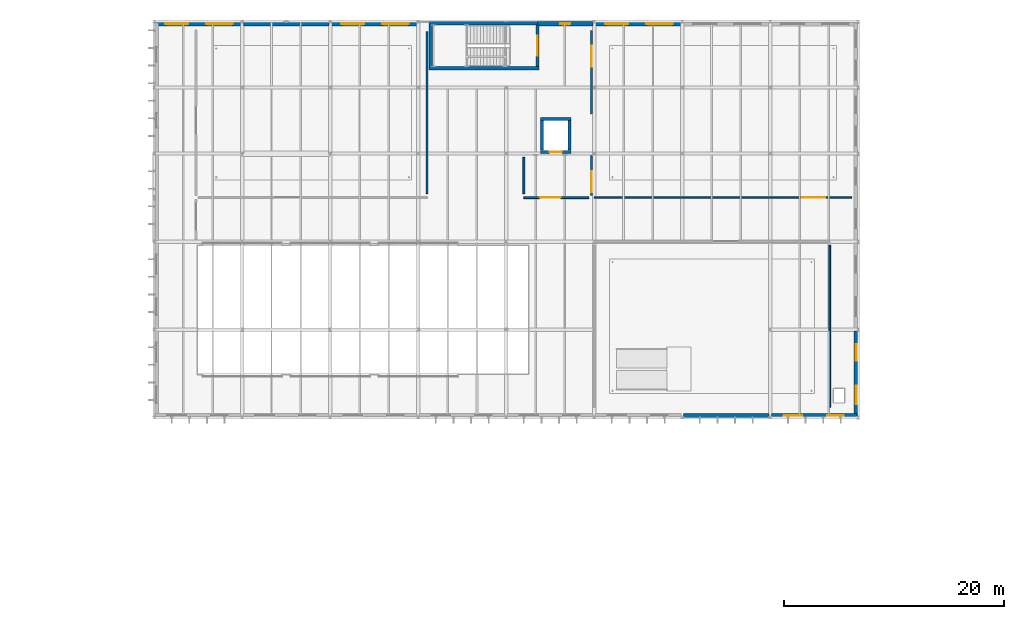
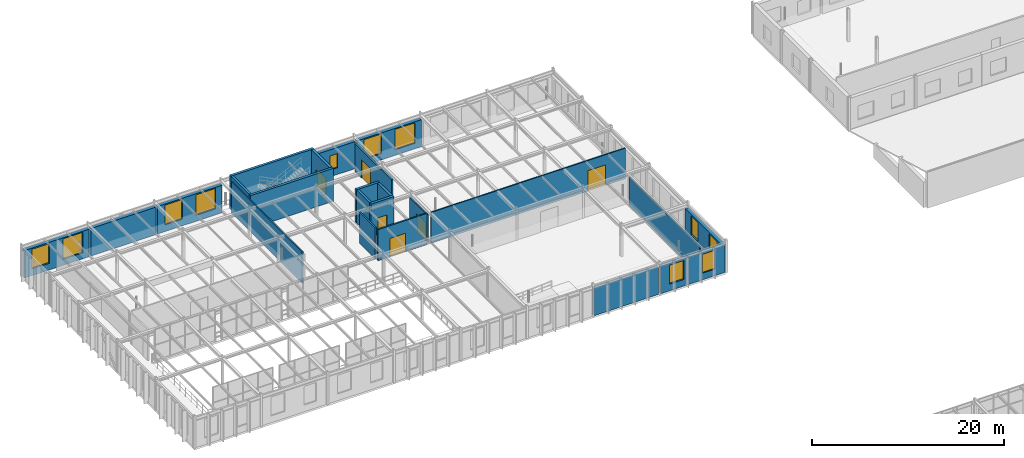
# One storey, part 83 of 124: 23 walls, 11 windows, 6 doors, 17 openings.
"""IFC4 building model written with IfcOpenShell, lengths in metres."""

from ifc_helpers import new_model, si_unit, direction, frame, frame_2d, origin, place, context, subcontext, project, spatial, rectangle, extrude, material, layer, layer_set, type_object, element, fill, save


model = new_model("IFC4")

# Units and contexts
model_context = context("Model", 3, precision=1e-05, world=origin(), true_north=direction((0.0, 1.0)))
body_context = subcontext(model_context, "Body", "Model", "MODEL_VIEW")
ifc_project = project(units=[si_unit("LENGTHUNIT", "METRE"), si_unit("AREAUNIT", "SQUARE_METRE"), si_unit("VOLUMEUNIT", "CUBIC_METRE"), si_unit("PLANEANGLEUNIT", "RADIAN"), si_unit("MASSUNIT", "GRAM", prefix="KILO")], contexts=[model_context])

# Site, building, storey
site_placement = place(None, origin())
site = spatial("IfcSite", under=ifc_project, at=site_placement, CompositionType="ELEMENT")
building_placement = place(site_placement, origin())
building = spatial("IfcBuilding", under=site, at=building_placement, Name="Sundkrona Museum", CompositionType="ELEMENT")
storey_placement = place(building_placement, frame((0.0, 0.0, 17.60009765625)))
storey = spatial("IfcBuildingStorey", under=building, at=storey_placement, Name="L03", CompositionType="ELEMENT", Elevation=17.60009765625)

# Walls
ifc_material_1 = material(Name="Concrete C40/50", Category="concrete")
ifc_layer_1 = layer(ifc_material_1, 0.300048828125)
ifc_layer_set_1 = layer_set([ifc_layer_1], Name="Concrete C40/50")
wall_type_1 = type_object("IfcWallType", Name="W-CORE-300", PredefinedType="SHEAR", material=ifc_layer_set_1)
for number, where, z_axis, x_axis, name in (
    (1, (41.0, 109.75, 0.0), (0.0, 0.0, 1.0), (1.0, 0.0, 0.0), "L03 ST-3 Core Shear Wall South"),
    (2, (41.0, 113.85009765625, 0.0), (0.0, 0.0, 1.0), (1.0, 0.0, 0.0), "L03 ST-3 Core Shear Wall North"),
):
    element("IfcWall", number, at=place(storey_placement, frame(where, z_axis=z_axis, x_axis=x_axis)), inside=storey, type_object=wall_type_1, Name=name, PredefinedType="SHEAR", context=body_context, shape_type="SweptSolid", body=[
        extrude(rectangle(XDim=10.0, YDim=0.300048828125, at=frame_2d((5.0, 0.0))), origin(), (0.0, 0.0, 1.0), 4.199951171875),
    ])
wall_1_placement = place(storey_placement, frame((41.14990234375, 109.909912109375, 0.0), z_axis=(0.0, 0.0, 1.0), x_axis=(0.0, 1.0, 0.0)))
element("IfcWall", 3, at=wall_1_placement, inside=storey, type_object=wall_type_1, Name="L03 ST-3 Core Shear Wall West", PredefinedType="SHEAR", context=body_context, shape_type="SweptSolid", body=[
    extrude(rectangle(XDim=3.780029296875, YDim=0.300048828125, at=frame_2d((1.89013671875, 0.0))), origin(), (0.0, 0.0, 1.0), 4.199951171875),
])

# Wall, opening, door
wall_2_placement = place(storey_placement, frame((50.85009765625, 109.909912109375, 0.0), z_axis=(0.0, 0.0, 1.0), x_axis=(0.0, 1.0, 0.0)))
wall_2 = element("IfcWall", 4, at=wall_2_placement, inside=storey, type_object=wall_type_1, Name="L03 ST-3 Core Shear Wall East", PredefinedType="SHEAR", context=body_context, shape_type="SweptSolid", body=[
    extrude(rectangle(XDim=3.780029296875, YDim=0.300048828125, at=frame_2d((1.89013671875, 0.0))), origin(), (0.0, 0.0, 1.0), 4.199951171875),
])
opening_1_placement = place(wall_2_placement, frame((0.989990234375, 0.0, 0.0)))
opening_1 = element("IfcOpeningElement", 5, at=opening_1_placement, cuts=wall_2, Name="Opening D-FD60", PredefinedType="OPENING", context=body_context, shape_type="SweptSolid", body=[
    extrude(rectangle(XDim=1.800048828125, YDim=2.199951171875, at=frame_2d((0.89990234375, 1.10009765625))), frame((0.0, 0.159912109375, 0.0), z_axis=(0.0, -1.0, 0.0), x_axis=(1.0, 0.0, 0.0)), (0.0, 0.0, 1.0), 0.320068359375),
])
ifc_material_2 = material(Name="Steel S355J2 Fire Door Leaf", Category="steel")
door_type_1 = type_object("IfcDoorType", Name="D-FD60", OperationType="DOUBLE_DOOR_SINGLE_SWING", PredefinedType="DOOR", material=ifc_material_2)
door_1_placement = place(opening_1_placement, origin())
door_1 = element("IfcDoor", 6, at=door_1_placement, inside=storey, type_object=door_type_1, Name="L03 ST-3 Protected Escape Stair Door DR-ST-3-L03", OperationType="DOUBLE_DOOR_SINGLE_SWING", OverallHeight=2.199951171875, OverallWidth=1.800048828125, PredefinedType="DOOR", context=body_context, shape_type="SweptSolid", body=[
    extrude(rectangle(XDim=1.800048828125, YDim=2.199951171875, at=frame_2d((0.89990234375, 1.10009765625))), frame((0.0, 0.02490234375, 0.0), z_axis=(0.0, -1.0, 0.0), x_axis=(1.0, 0.0, 0.0)), (0.0, 0.0, 1.0), 0.050048828125),
])
fill(opening_1, door_1)

wall_3_placement = place(storey_placement, frame((51.10009765625, 102.14990234375, 0.0), z_axis=(0.0, 0.0, 1.0), x_axis=(1.0, 0.0, 0.0)))
wall_3 = element("IfcWall", 7, at=wall_3_placement, inside=storey, type_object=wall_type_1, Name="L03 PL-3 Lift Shaft Wall South", PredefinedType="SHEAR", context=body_context, shape_type="SweptSolid", body=[
    extrude(rectangle(XDim=2.7998046875, YDim=0.300048828125, at=frame_2d((1.39990234375, 0.0))), origin(), (0.0, 0.0, 1.0), 4.199951171875),
])
opening_2_placement = place(wall_3_placement, frame((0.85009765625, 0.0, 0.0)))
opening_2 = element("IfcOpeningElement", 8, at=opening_2_placement, cuts=wall_3, Name="Opening LD-01", PredefinedType="OPENING", context=body_context, shape_type="SweptSolid", body=[
    extrude(rectangle(XDim=1.10009765625, YDim=2.14990234375, at=frame_2d((0.550048828125, 1.074951171875))), frame((0.0, 0.159912109375, 0.0), z_axis=(0.0, -1.0, 0.0), x_axis=(1.0, 0.0, 0.0)), (0.0, 0.0, 1.0), 0.320068359375),
])
ifc_material_3 = material(Name="Brushed Stainless Steel Lift Door", Category="steel")
door_type_2 = type_object("IfcDoorType", Name="LD-01", OperationType="SLIDING_TO_LEFT", PredefinedType="DOOR", material=ifc_material_3)
door_2_placement = place(opening_2_placement, origin())
door_2 = element("IfcDoor", 9, at=door_2_placement, inside=storey, type_object=door_type_2, Name="L03 North-West Gallery Passenger Lift PL-3 Landing Door DR-LIFT-PL-3-L03", OperationType="SLIDING_TO_LEFT", OverallHeight=2.14990234375, OverallWidth=1.10009765625, PredefinedType="DOOR", context=body_context, shape_type="SweptSolid", body=[
    extrude(rectangle(XDim=1.10009765625, YDim=2.14990234375, at=frame_2d((0.550048828125, 1.074951171875))), frame((0.0, 0.02490234375, 0.0), z_axis=(0.0, -1.0, 0.0), x_axis=(1.0, 0.0, 0.0)), (0.0, 0.0, 1.0), 0.050048828125),
])
fill(opening_2, door_2)

# Walls
wall_4_placement = place(storey_placement, frame((51.10009765625, 105.14990234375, 0.0), z_axis=(0.0, 0.0, 1.0), x_axis=(1.0, 0.0, 0.0)))
element("IfcWall", 10, at=wall_4_placement, inside=storey, type_object=wall_type_1, Name="L03 PL-3 Lift Shaft Wall North", PredefinedType="SHEAR", context=body_context, shape_type="SweptSolid", body=[
    extrude(rectangle(XDim=2.7998046875, YDim=0.300048828125, at=frame_2d((1.39990234375, 0.0))), origin(), (0.0, 0.0, 1.0), 4.199951171875),
])
for number, where, z_axis, x_axis, name in (
    (11, (51.25, 102.31005859375, 0.0), (0.0, 0.0, 1.0), (0.0, 1.0, 0.0), "L03 PL-3 Lift Shaft Wall West"),
    (12, (53.75, 102.31005859375, 0.0), (0.0, 0.0, 1.0), (0.0, 1.0, 0.0), "L03 PL-3 Lift Shaft Wall East"),
):
    element("IfcWall", number, at=place(storey_placement, frame(where, z_axis=z_axis, x_axis=x_axis)), inside=storey, type_object=wall_type_1, Name=name, PredefinedType="SHEAR", context=body_context, shape_type="SweptSolid", body=[
        extrude(rectangle(XDim=2.679931640625, YDim=0.300048828125, at=frame_2d((1.33984375, 0.0))), origin(), (0.0, 0.0, 1.0), 4.199951171875),
    ])
ifc_material_4 = material(Name="Scanian Polychrome Clay Brickwork 390 mm", Category="masonry")
ifc_layer_2 = layer(ifc_material_4, 0.389892578125)
ifc_layer_set_2 = layer_set([ifc_layer_2], Name="Scanian Polychrome Clay Brickwork 390 mm")
wall_type_2 = type_object("IfcWallType", Name="W-EX-390", PredefinedType="SOLIDWALL", material=ifc_layer_set_2)
wall_5_placement = place(storey_placement, frame((71.8779296875, 78.195068359375, 0.0), z_axis=(0.0, 0.0, 1.0), x_axis=(-1.0, 0.0, 0.0)))
element("IfcWall", 13, at=wall_5_placement, inside=storey, type_object=wall_type_2, Name="L03 Facade Wall 0160", PredefinedType="SOLIDWALL", context=body_context, shape_type="SweptSolid", body=[
    extrude(rectangle(XDim=7.755859375, YDim=0.389892578125, at=frame_2d((3.8779296875, 0.0))), origin(), (0.0, 0.0, 1.0), 3.44482421875),
])

# Wall, openings, windows
wall_6_placement = place(storey_placement, frame((79.85791015625, 78.195068359375, 0.0), z_axis=(0.0, 0.0, 1.0), x_axis=(-1.0, 0.0, 0.0)))
wall_6 = element("IfcWall", 14, at=wall_6_placement, inside=storey, type_object=wall_type_2, Name="L03 Facade Wall 0161", PredefinedType="SOLIDWALL", context=body_context, shape_type="SweptSolid", body=[
    extrude(rectangle(XDim=7.73583984375, YDim=0.389892578125, at=frame_2d((3.867919921875, 0.0))), origin(), (0.0, 0.0, 1.0), 3.44482421875),
])
opening_3_placement = place(wall_6_placement, frame((1.18408203125, 0.0, 0.85009765625)))
opening_3 = element("IfcOpeningElement", 15, at=opening_3_placement, cuts=wall_6, Name="Opening WN-GL-150x240", PredefinedType="OPENING", context=body_context, shape_type="SweptSolid", body=[
    extrude(rectangle(XDim=1.5, YDim=2.39990234375, at=frame_2d((0.75, 1.199951171875))), frame((0.0, 0.204833984375, 0.0), z_axis=(0.0, -1.0, 0.0), x_axis=(1.0, 0.0, 0.0)), (0.0, 0.0, 1.0), 0.409912109375),
])
opening_4_placement = place(wall_6_placement, frame((4.951904296875, 0.0, 0.85009765625)))
opening_4 = element("IfcOpeningElement", 16, at=opening_4_placement, cuts=wall_6, Name="Opening WN-GL-170x240", PredefinedType="OPENING", context=body_context, shape_type="SweptSolid", body=[
    extrude(rectangle(XDim=1.699951171875, YDim=2.39990234375, at=frame_2d((0.85009765625, 1.199951171875))), frame((0.0, 0.204833984375, 0.0), z_axis=(0.0, -1.0, 0.0), x_axis=(1.0, 0.0, 0.0)), (0.0, 0.0, 1.0), 0.409912109375),
])
ifc_material_5 = material(Name="Triple Low-E Argon Glazing in Bronze-Anodised Aluminium", Category="aluminium")
window_type_1 = type_object("IfcWindowType", Name="WN-GL-150x240", PartitioningType="SINGLE_PANEL", PredefinedType="WINDOW", material=ifc_material_5)
window_1_placement = place(opening_3_placement, origin())
window_1 = element("IfcWindow", 17, at=window_1_placement, inside=storey, type_object=window_type_1, Name="L03 Finned wing deep-reveal gallery window 1500x2400 WIN-L03-0224", OverallHeight=2.39990234375, OverallWidth=1.5, PartitioningType="SINGLE_PANEL", PredefinedType="WINDOW", context=body_context, shape_type="SweptSolid", body=[
    extrude(rectangle(XDim=1.5, YDim=2.39990234375, at=frame_2d((0.75, 1.199951171875))), frame((0.0, 0.030029296875, 0.0), z_axis=(0.0, -1.0, 0.0), x_axis=(1.0, 0.0, 0.0)), (0.0, 0.0, 1.0), 0.06005859375),
])
fill(opening_3, window_1)
window_type_2 = type_object("IfcWindowType", Name="WN-GL-170x240", PartitioningType="DOUBLE_PANEL_VERTICAL", PredefinedType="WINDOW", material=ifc_material_5)
window_2_placement = place(opening_4_placement, origin())
window_2 = element("IfcWindow", 18, at=window_2_placement, inside=storey, type_object=window_type_2, Name="L03 Finned wing wide gallery window 1700x2400 WIN-L03-0225", OverallHeight=2.39990234375, OverallWidth=1.699951171875, PartitioningType="DOUBLE_PANEL_VERTICAL", PredefinedType="WINDOW", context=body_context, shape_type="SweptSolid", body=[
    extrude(rectangle(XDim=1.699951171875, YDim=2.39990234375, at=frame_2d((0.85009765625, 1.199951171875))), frame((0.0, 0.030029296875, 0.0), z_axis=(0.0, -1.0, 0.0), x_axis=(1.0, 0.0, 0.0)), (0.0, 0.0, 1.0), 0.06005859375),
])
fill(opening_4, window_2)

wall_7_placement = place(storey_placement, frame((16.1220703125, 113.804931640625, 0.0), z_axis=(0.0, 0.0, 1.0), x_axis=(1.0, 0.0, 0.0)))
wall_7 = element("IfcWall", 19, at=wall_7_placement, inside=storey, type_object=wall_type_2, Name="L03 Facade Wall 0167", PredefinedType="SOLIDWALL", context=body_context, shape_type="SweptSolid", body=[
    extrude(rectangle(XDim=7.755859375, YDim=0.389892578125, at=frame_2d((3.8779296875, 0.0))), origin(), (0.0, 0.0, 1.0), 3.5048828125),
])
opening_5_placement = place(wall_7_placement, frame((0.888916015625, 0.0, 0.85009765625)))
opening_5 = element("IfcOpeningElement", 20, at=opening_5_placement, cuts=wall_7, Name="Opening WN-GL-210x250", PredefinedType="OPENING", context=body_context, shape_type="SweptSolid", body=[
    extrude(rectangle(XDim=2.10009765625, YDim=2.5, at=frame_2d((1.050048828125, 1.25))), frame((0.0, 0.204833984375, 0.0), z_axis=(0.0, -1.0, 0.0), x_axis=(1.0, 0.0, 0.0)), (0.0, 0.0, 1.0), 0.409912109375),
])
opening_6_placement = place(wall_7_placement, frame((4.616943359375, 0.0, 0.764892578125)))
opening_6 = element("IfcOpeningElement", 21, at=opening_6_placement, cuts=wall_7, Name="Opening WN-GL-240x260", PredefinedType="OPENING", context=body_context, shape_type="SweptSolid", body=[
    extrude(rectangle(XDim=2.39990234375, YDim=2.60009765625, at=frame_2d((1.199951171875, 1.300048828125))), frame((0.0, 0.204833984375, 0.0), z_axis=(0.0, -1.0, 0.0), x_axis=(1.0, 0.0, 0.0)), (0.0, 0.0, 1.0), 0.409912109375),
])
window_type_3 = type_object("IfcWindowType", Name="WN-GL-210x250", PartitioningType="DOUBLE_PANEL_VERTICAL", PredefinedType="WINDOW", material=ifc_material_5)
window_3_placement = place(opening_5_placement, origin())
window_3 = element("IfcWindow", 22, at=window_3_placement, inside=storey, type_object=window_type_3, Name="L03 Botanical court outlook window 2100x2500 WIN-L03-0232", OverallHeight=2.5, OverallWidth=2.10009765625, PartitioningType="DOUBLE_PANEL_VERTICAL", PredefinedType="WINDOW", context=body_context, shape_type="SweptSolid", body=[
    extrude(rectangle(XDim=2.10009765625, YDim=2.5, at=frame_2d((1.050048828125, 1.25))), frame((0.0, 0.030029296875, 0.0), z_axis=(0.0, -1.0, 0.0), x_axis=(1.0, 0.0, 0.0)), (0.0, 0.0, 1.0), 0.06005859375),
])
fill(opening_5, window_3)
window_type_4 = type_object("IfcWindowType", Name="WN-GL-240x260", PartitioningType="TRIPLE_PANEL_VERTICAL", PredefinedType="WINDOW", material=ifc_material_5)
window_4_placement = place(opening_6_placement, origin())
window_4 = element("IfcWindow", 23, at=window_4_placement, inside=storey, type_object=window_type_4, Name="L03 Cloister garden picture window 2400x2600 WIN-L03-0233", OverallHeight=2.60009765625, OverallWidth=2.39990234375, PartitioningType="TRIPLE_PANEL_VERTICAL", PredefinedType="WINDOW", context=body_context, shape_type="SweptSolid", body=[
    extrude(rectangle(XDim=2.39990234375, YDim=2.60009765625, at=frame_2d((1.199951171875, 1.300048828125))), frame((0.0, 0.030029296875, 0.0), z_axis=(0.0, -1.0, 0.0), x_axis=(1.0, 0.0, 0.0)), (0.0, 0.0, 1.0), 0.06005859375),
])
fill(opening_6, window_4)

# Wall
wall_8_placement = place(storey_placement, frame((24.1220703125, 113.804931640625, 0.0), z_axis=(0.0, 0.0, 1.0), x_axis=(1.0, 0.0, 0.0)))
element("IfcWall", 24, at=wall_8_placement, inside=storey, type_object=wall_type_2, Name="L03 Facade Wall 0168", PredefinedType="SOLIDWALL", context=body_context, shape_type="SweptSolid", body=[
    extrude(rectangle(XDim=7.755859375, YDim=0.389892578125, at=frame_2d((3.8779296875, 0.0))), origin(), (0.0, 0.0, 1.0), 3.5048828125),
])

# Wall, openings, windows
wall_9_placement = place(storey_placement, frame((32.1220703125, 113.804931640625, 0.0), z_axis=(0.0, 0.0, 1.0), x_axis=(1.0, 0.0, 0.0)))
wall_9 = element("IfcWall", 25, at=wall_9_placement, inside=storey, type_object=wall_type_2, Name="L03 Facade Wall 0169", PredefinedType="SOLIDWALL", context=body_context, shape_type="SweptSolid", body=[
    extrude(rectangle(XDim=7.755859375, YDim=0.389892578125, at=frame_2d((3.8779296875, 0.0))), origin(), (0.0, 0.0, 1.0), 3.5048828125),
])
opening_7_placement = place(wall_9_placement, frame((0.888916015625, 0.0, 0.85009765625)))
opening_7 = element("IfcOpeningElement", 26, at=opening_7_placement, cuts=wall_9, Name="Opening WN-GL-210x250", PredefinedType="OPENING", context=body_context, shape_type="SweptSolid", body=[
    extrude(rectangle(XDim=2.10009765625, YDim=2.5, at=frame_2d((1.050048828125, 1.25))), frame((0.0, 0.204833984375, 0.0), z_axis=(0.0, -1.0, 0.0), x_axis=(1.0, 0.0, 0.0)), (0.0, 0.0, 1.0), 0.409912109375),
])
opening_8_placement = place(wall_9_placement, frame((4.616943359375, 0.0, 0.764892578125)))
opening_8 = element("IfcOpeningElement", 27, at=opening_8_placement, cuts=wall_9, Name="Opening WN-GL-240x260", PredefinedType="OPENING", context=body_context, shape_type="SweptSolid", body=[
    extrude(rectangle(XDim=2.39990234375, YDim=2.60009765625, at=frame_2d((1.199951171875, 1.300048828125))), frame((0.0, 0.204833984375, 0.0), z_axis=(0.0, -1.0, 0.0), x_axis=(1.0, 0.0, 0.0)), (0.0, 0.0, 1.0), 0.409912109375),
])
window_5_placement = place(opening_7_placement, origin())
window_5 = element("IfcWindow", 28, at=window_5_placement, inside=storey, type_object=window_type_3, Name="L03 Botanical court outlook window 2100x2500 WIN-L03-0234", OverallHeight=2.5, OverallWidth=2.10009765625, PartitioningType="DOUBLE_PANEL_VERTICAL", PredefinedType="WINDOW", context=body_context, shape_type="SweptSolid", body=[
    extrude(rectangle(XDim=2.10009765625, YDim=2.5, at=frame_2d((1.050048828125, 1.25))), frame((0.0, 0.030029296875, 0.0), z_axis=(0.0, -1.0, 0.0), x_axis=(1.0, 0.0, 0.0)), (0.0, 0.0, 1.0), 0.06005859375),
])
fill(opening_7, window_5)
window_6_placement = place(opening_8_placement, origin())
window_6 = element("IfcWindow", 29, at=window_6_placement, inside=storey, type_object=window_type_4, Name="L03 Cloister garden picture window 2400x2600 WIN-L03-0235", OverallHeight=2.60009765625, OverallWidth=2.39990234375, PartitioningType="TRIPLE_PANEL_VERTICAL", PredefinedType="WINDOW", context=body_context, shape_type="SweptSolid", body=[
    extrude(rectangle(XDim=2.39990234375, YDim=2.60009765625, at=frame_2d((1.199951171875, 1.300048828125))), frame((0.0, 0.030029296875, 0.0), z_axis=(0.0, -1.0, 0.0), x_axis=(1.0, 0.0, 0.0)), (0.0, 0.0, 1.0), 0.06005859375),
])
fill(opening_8, window_6)

# Wall, opening, window
wall_10_placement = place(storey_placement, frame((50.860107421875, 113.804931640625, 0.0), z_axis=(0.0, 0.0, 1.0), x_axis=(1.0, 0.0, 0.0)))
wall_10 = element("IfcWall", 30, at=wall_10_placement, inside=storey, type_object=wall_type_2, Name="L03 Facade Wall 0170", PredefinedType="SOLIDWALL", context=body_context, shape_type="SweptSolid", body=[
    extrude(rectangle(XDim=5.017822265625, YDim=0.389892578125, at=frame_2d((2.5087890625, 0.0))), origin(), (0.0, 0.0, 1.0), 3.44482421875),
])
opening_9_placement = place(wall_10_placement, frame((2.05908203125, 0.0, 0.85009765625)))
opening_9 = element("IfcOpeningElement", 31, at=opening_9_placement, cuts=wall_10, Name="Opening WN-ST-090x180", PredefinedType="OPENING", context=body_context, shape_type="SweptSolid", body=[
    extrude(rectangle(XDim=0.89990234375, YDim=1.800048828125, at=frame_2d((0.449951171875, 0.89990234375))), frame((0.0, 0.204833984375, 0.0), z_axis=(0.0, -1.0, 0.0), x_axis=(1.0, 0.0, 0.0)), (0.0, 0.0, 1.0), 0.409912109375),
])
window_type_5 = type_object("IfcWindowType", Name="WN-ST-090x180", PartitioningType="SINGLE_PANEL", PredefinedType="WINDOW", material=ifc_material_5)
window_7_placement = place(opening_9_placement, origin())
window_7 = element("IfcWindow", 32, at=window_7_placement, inside=storey, type_object=window_type_5, Name="L03 Stair-core avenue daylight slot window 900x1800 WIN-L03-0236", OverallHeight=1.800048828125, OverallWidth=0.89990234375, PartitioningType="SINGLE_PANEL", PredefinedType="WINDOW", context=body_context, shape_type="SweptSolid", body=[
    extrude(rectangle(XDim=0.89990234375, YDim=1.800048828125, at=frame_2d((0.449951171875, 0.89990234375))), frame((0.0, 0.030029296875, 0.0), z_axis=(0.0, -1.0, 0.0), x_axis=(1.0, 0.0, 0.0)), (0.0, 0.0, 1.0), 0.06005859375),
])
fill(opening_9, window_7)

# Wall, openings, windows
wall_11_placement = place(storey_placement, frame((56.1220703125, 113.804931640625, 0.0), z_axis=(0.0, 0.0, 1.0), x_axis=(1.0, 0.0, 0.0)))
wall_11 = element("IfcWall", 33, at=wall_11_placement, inside=storey, type_object=wall_type_2, Name="L03 Facade Wall 0171", PredefinedType="SOLIDWALL", context=body_context, shape_type="SweptSolid", body=[
    extrude(rectangle(XDim=7.755859375, YDim=0.389892578125, at=frame_2d((3.8779296875, 0.0))), origin(), (0.0, 0.0, 1.0), 3.44482421875),
])
opening_10_placement = place(wall_11_placement, frame((0.888916015625, 0.0, 0.804931640625)))
opening_10 = element("IfcOpeningElement", 34, at=opening_10_placement, cuts=wall_11, Name="Opening WN-GL-210x250", PredefinedType="OPENING", context=body_context, shape_type="SweptSolid", body=[
    extrude(rectangle(XDim=2.10009765625, YDim=2.5, at=frame_2d((1.050048828125, 1.25))), frame((0.0, 0.204833984375, 0.0), z_axis=(0.0, -1.0, 0.0), x_axis=(1.0, 0.0, 0.0)), (0.0, 0.0, 1.0), 0.409912109375),
])
opening_11_placement = place(wall_11_placement, frame((4.616943359375, 0.0, 0.705078125)))
opening_11 = element("IfcOpeningElement", 35, at=opening_11_placement, cuts=wall_11, Name="Opening WN-GL-240x260", PredefinedType="OPENING", context=body_context, shape_type="SweptSolid", body=[
    extrude(rectangle(XDim=2.39990234375, YDim=2.60009765625, at=frame_2d((1.199951171875, 1.300048828125))), frame((0.0, 0.204833984375, 0.0), z_axis=(0.0, -1.0, 0.0), x_axis=(1.0, 0.0, 0.0)), (0.0, 0.0, 1.0), 0.409912109375),
])
window_8_placement = place(opening_10_placement, origin())
window_8 = element("IfcWindow", 36, at=window_8_placement, inside=storey, type_object=window_type_3, Name="L03 Botanical court outlook window 2100x2500 WIN-L03-0237", OverallHeight=2.5, OverallWidth=2.10009765625, PartitioningType="DOUBLE_PANEL_VERTICAL", PredefinedType="WINDOW", context=body_context, shape_type="SweptSolid", body=[
    extrude(rectangle(XDim=2.10009765625, YDim=2.5, at=frame_2d((1.050048828125, 1.25))), frame((0.0, 0.030029296875, 0.0), z_axis=(0.0, -1.0, 0.0), x_axis=(1.0, 0.0, 0.0)), (0.0, 0.0, 1.0), 0.06005859375),
])
fill(opening_10, window_8)
window_9_placement = place(opening_11_placement, origin())
window_9 = element("IfcWindow", 37, at=window_9_placement, inside=storey, type_object=window_type_4, Name="L03 Cloister garden picture window 2400x2600 WIN-L03-0238", OverallHeight=2.60009765625, OverallWidth=2.39990234375, PartitioningType="TRIPLE_PANEL_VERTICAL", PredefinedType="WINDOW", context=body_context, shape_type="SweptSolid", body=[
    extrude(rectangle(XDim=2.39990234375, YDim=2.60009765625, at=frame_2d((1.199951171875, 1.300048828125))), frame((0.0, 0.030029296875, 0.0), z_axis=(0.0, -1.0, 0.0), x_axis=(1.0, 0.0, 0.0)), (0.0, 0.0, 1.0), 0.06005859375),
])
fill(opening_11, window_9)

wall_12_placement = place(storey_placement, frame((79.804931640625, 85.85791015625, 0.0), z_axis=(0.0, 0.0, 1.0), x_axis=(0.0, -1.0, 0.0)))
wall_12 = element("IfcWall", 38, at=wall_12_placement, inside=storey, type_object=wall_type_2, Name="L03 Facade Wall 0260", PredefinedType="SOLIDWALL", context=body_context, shape_type="SweptSolid", body=[
    extrude(rectangle(XDim=7.7158203125, YDim=0.389892578125, at=frame_2d((3.85791015625, 0.0))), origin(), (0.0, 0.0, 1.0), 3.44482421875),
])
opening_12_placement = place(wall_12_placement, frame((1.178955078125, 0.0, 0.85009765625)))
opening_12 = element("IfcOpeningElement", 39, at=opening_12_placement, cuts=wall_12, Name="Opening WN-GL-150x240", PredefinedType="OPENING", context=body_context, shape_type="SweptSolid", body=[
    extrude(rectangle(XDim=1.5, YDim=2.39990234375, at=frame_2d((0.75, 1.199951171875))), frame((0.0, 0.204833984375, 0.0), z_axis=(0.0, -1.0, 0.0), x_axis=(1.0, 0.0, 0.0)), (0.0, 0.0, 1.0), 0.409912109375),
])
opening_13_placement = place(wall_12_placement, frame((4.93701171875, 0.0, 0.85009765625)))
opening_13 = element("IfcOpeningElement", 40, at=opening_13_placement, cuts=wall_12, Name="Opening WN-GL-170x240", PredefinedType="OPENING", context=body_context, shape_type="SweptSolid", body=[
    extrude(rectangle(XDim=1.699951171875, YDim=2.39990234375, at=frame_2d((0.85009765625, 1.199951171875))), frame((0.0, 0.204833984375, 0.0), z_axis=(0.0, -1.0, 0.0), x_axis=(1.0, 0.0, 0.0)), (0.0, 0.0, 1.0), 0.409912109375),
])
window_10_placement = place(opening_12_placement, origin())
window_10 = element("IfcWindow", 41, at=window_10_placement, inside=storey, type_object=window_type_1, Name="L03 Finned wing deep-reveal gallery window 1500x2400 WIN-L03-0360", OverallHeight=2.39990234375, OverallWidth=1.5, PartitioningType="SINGLE_PANEL", PredefinedType="WINDOW", context=body_context, shape_type="SweptSolid", body=[
    extrude(rectangle(XDim=1.5, YDim=2.39990234375, at=frame_2d((0.75, 1.199951171875))), frame((0.0, 0.030029296875, 0.0), z_axis=(0.0, -1.0, 0.0), x_axis=(1.0, 0.0, 0.0)), (0.0, 0.0, 1.0), 0.06005859375),
])
fill(opening_12, window_10)
window_11_placement = place(opening_13_placement, origin())
window_11 = element("IfcWindow", 42, at=window_11_placement, inside=storey, type_object=window_type_2, Name="L03 Finned wing wide gallery window 1700x2400 WIN-L03-0361", OverallHeight=2.39990234375, OverallWidth=1.699951171875, PartitioningType="DOUBLE_PANEL_VERTICAL", PredefinedType="WINDOW", context=body_context, shape_type="SweptSolid", body=[
    extrude(rectangle(XDim=1.699951171875, YDim=2.39990234375, at=frame_2d((0.85009765625, 1.199951171875))), frame((0.0, 0.030029296875, 0.0), z_axis=(0.0, -1.0, 0.0), x_axis=(1.0, 0.0, 0.0)), (0.0, 0.0, 1.0), 0.06005859375),
])
fill(opening_13, window_11)

# Wall, opening, door
ifc_material_6 = material(Name="Autoclaved Aerated Masonry 225 mm", Category="masonry")
ifc_layer_3 = layer(ifc_material_6, 0.22509765625)
ifc_layer_set_3 = layer_set([ifc_layer_3], Name="Autoclaved Aerated Masonry 225 mm")
wall_type_3 = type_object("IfcWallType", Name="W-FF-225", PredefinedType="SOLIDWALL", material=ifc_layer_set_3)
wall_13_placement = place(storey_placement, frame((55.75, 105.60009765625, 0.0), z_axis=(0.0, 0.0, 1.0), x_axis=(0.0, 1.0, 0.0)))
wall_13 = element("IfcWall", 43, at=wall_13_placement, inside=storey, type_object=wall_type_3, Name="L03 Partition Core 3 Stair Lobby / Glass and Applied Arts Gallery", PredefinedType="SOLIDWALL", context=body_context, shape_type="SweptSolid", body=[
    extrude(rectangle(XDim=7.599853515625, YDim=0.22509765625, at=frame_2d((3.7998046875, 0.0))), origin(), (0.0, 0.0, 1.0), 3.5498046875),
])
opening_14_placement = place(wall_13_placement, frame((4.30712890625, 0.0, 0.0)))
opening_14 = element("IfcOpeningElement", 44, at=opening_14_placement, cuts=wall_13, Name="Opening D-AUD-190", PredefinedType="OPENING", context=body_context, shape_type="SweptSolid", body=[
    extrude(rectangle(XDim=1.89990234375, YDim=2.35009765625, at=frame_2d((0.949951171875, 1.175048828125))), frame((0.0, 0.12255859375, 0.0), z_axis=(0.0, -1.0, 0.0), x_axis=(1.0, 0.0, 0.0)), (0.0, 0.0, 1.0), 0.2451171875),
])
ifc_material_7 = material(Name="Acoustic Oak Fire Door", Category="other")
door_type_3 = type_object("IfcDoorType", Name="D-AUD-190", OperationType="DOUBLE_DOOR_SINGLE_SWING", PredefinedType="DOOR", material=ifc_material_7)
door_3_placement = place(opening_14_placement, origin())
door_3 = element("IfcDoor", 45, at=door_3_placement, inside=storey, type_object=door_type_3, Name="L03 Interior Door DR-ADJ-L03-0158", OperationType="DOUBLE_DOOR_SINGLE_SWING", OverallHeight=2.35009765625, OverallWidth=1.89990234375, PredefinedType="DOOR", context=body_context, shape_type="SweptSolid", body=[
    extrude(rectangle(XDim=1.89990234375, YDim=2.35009765625, at=frame_2d((0.949951171875, 1.175048828125))), frame((0.0, 0.02490234375, 0.0), z_axis=(0.0, -1.0, 0.0), x_axis=(1.0, 0.0, 0.0)), (0.0, 0.0, 1.0), 0.050048828125),
])
fill(opening_14, door_3)

ifc_material_8 = material(Name="Acoustic Gypsum Partition Board 150 mm", Category="other")
ifc_layer_4 = layer(ifc_material_8, 0.14990234375)
ifc_layer_set_4 = layer_set([ifc_layer_4], Name="Acoustic Gypsum Partition Board 150 mm")
wall_type_4 = type_object("IfcWallType", Name="W-PT-150", PredefinedType="PARTITIONING", material=ifc_layer_set_4)
wall_14_placement = place(storey_placement, frame((56.0, 98.0, 0.0), z_axis=(0.0, 0.0, 1.0), x_axis=(1.0, 0.0, 0.0)))
wall_14 = element("IfcWall", 46, at=wall_14_placement, inside=storey, type_object=wall_type_4, Name="L03 Partition North Ecology Spine / Glass and Applied Arts Gallery", PredefinedType="PARTITIONING", context=body_context, shape_type="SweptSolid", body=[
    extrude(rectangle(XDim=23.39990234375, YDim=0.14990234375, at=frame_2d((11.699951171875, 0.0))), origin(), (0.0, 0.0, 1.0), 3.89990234375),
])
opening_15_placement = place(wall_14_placement, frame((18.89501953125, 0.0, 0.0)))
opening_15 = element("IfcOpeningElement", 47, at=opening_15_placement, cuts=wall_14, Name="Opening D-GAL-210", PredefinedType="OPENING", context=body_context, shape_type="SweptSolid", body=[
    extrude(rectangle(XDim=2.10009765625, YDim=2.60009765625, at=frame_2d((1.050048828125, 1.300048828125))), frame((0.0, 0.0849609375, 0.0), z_axis=(0.0, -1.0, 0.0), x_axis=(1.0, 0.0, 0.0)), (0.0, 0.0, 1.0), 0.169921875),
])
ifc_material_9 = material(Name="European Oak Gallery Door", Category="other")
door_type_4 = type_object("IfcDoorType", Name="D-GAL-210", OperationType="DOUBLE_DOOR_SINGLE_SWING", PredefinedType="DOOR", material=ifc_material_9)
door_4_placement = place(opening_15_placement, origin())
door_4 = element("IfcDoor", 48, at=door_4_placement, inside=storey, type_object=door_type_4, Name="L03 Interior Door DR-ADJ-L03-0173", OperationType="DOUBLE_DOOR_SINGLE_SWING", OverallHeight=2.60009765625, OverallWidth=2.10009765625, PredefinedType="DOOR", context=body_context, shape_type="SweptSolid", body=[
    extrude(rectangle(XDim=2.10009765625, YDim=2.60009765625, at=frame_2d((1.050048828125, 1.300048828125))), frame((0.0, 0.02490234375, 0.0), z_axis=(0.0, -1.0, 0.0), x_axis=(1.0, 0.0, 0.0)), (0.0, 0.0, 1.0), 0.050048828125),
])
fill(opening_15, door_4)

# Walls
wall_15_placement = place(storey_placement, frame((40.800048828125, 98.35009765625, 0.0), z_axis=(0.0, 0.0, 1.0), x_axis=(0.0, 1.0, 0.0)))
element("IfcWall", 49, at=wall_15_placement, inside=storey, type_object=wall_type_4, Name="L03 Arctic Expeditions Gallery Enclosure Wall E", PredefinedType="PARTITIONING", context=body_context, shape_type="SweptSolid", body=[
    extrude(rectangle(XDim=14.699951171875, YDim=0.14990234375, at=frame_2d((7.35009765625, 0.0))), origin(), (0.0, 0.0, 1.0), 3.9599609375),
])
wall_16_placement = place(storey_placement, frame((77.39990234375, 78.949951171875, 0.0), z_axis=(0.0, 0.0, 1.0), x_axis=(0.0, 1.0, 0.0)))
element("IfcWall", 50, at=wall_16_placement, inside=storey, type_object=wall_type_4, Name="L03 Nordic Ecology Gallery Enclosure Wall E", PredefinedType="PARTITIONING", context=body_context, shape_type="SweptSolid", body=[
    extrude(rectangle(XDim=14.699951171875, YDim=0.14990234375, at=frame_2d((7.35009765625, 0.0))), origin(), (0.0, 0.0, 1.0), 3.599853515625),
])

# Wall, opening, door
ifc_material_10 = material(Name="Fire-rated Gypsum Partition Board 175 mm", Category="other")
ifc_layer_5 = layer(ifc_material_10, 0.175048828125)
ifc_layer_set_5 = layer_set([ifc_layer_5], Name="Fire-rated Gypsum Partition Board 175 mm")
wall_type_5 = type_object("IfcWallType", Name="W-PT-175", PredefinedType="PARTITIONING", material=ifc_layer_set_5)
wall_17_placement = place(storey_placement, frame((49.60009765625, 98.0, 0.0), z_axis=(0.0, 0.0, 1.0), x_axis=(1.0, 0.0, 0.0)))
wall_17 = element("IfcWall", 51, at=wall_17_placement, inside=storey, type_object=wall_type_5, Name="L03 Partition North-West Lift Lobby / North Ecology Spine", PredefinedType="PARTITIONING", context=body_context, shape_type="SweptSolid", body=[
    extrude(rectangle(XDim=5.89990234375, YDim=0.175048828125, at=frame_2d((2.949951171875, 0.0))), origin(), (0.0, 0.0, 1.0), 3.9599609375),
])
opening_16_placement = place(wall_17_placement, frame((1.433349609375, 0.0, 0.0)))
opening_16 = element("IfcOpeningElement", 52, at=opening_16_placement, cuts=wall_17, Name="Opening D-AUD-190", PredefinedType="OPENING", context=body_context, shape_type="SweptSolid", body=[
    extrude(rectangle(XDim=1.89990234375, YDim=2.35009765625, at=frame_2d((0.949951171875, 1.175048828125))), frame((0.0, 0.097412109375, 0.0), z_axis=(0.0, -1.0, 0.0), x_axis=(1.0, 0.0, 0.0)), (0.0, 0.0, 1.0), 0.195068359375),
])
door_5_placement = place(opening_16_placement, origin())
door_5 = element("IfcDoor", 53, at=door_5_placement, inside=storey, type_object=door_type_3, Name="L03 Interior Door DR-ADJ-L03-0159", OperationType="DOUBLE_DOOR_SINGLE_SWING", OverallHeight=2.35009765625, OverallWidth=1.89990234375, PredefinedType="DOOR", context=body_context, shape_type="SweptSolid", body=[
    extrude(rectangle(XDim=1.89990234375, YDim=2.35009765625, at=frame_2d((0.949951171875, 1.175048828125))), frame((0.0, 0.02490234375, 0.0), z_axis=(0.0, -1.0, 0.0), x_axis=(1.0, 0.0, 0.0)), (0.0, 0.0, 1.0), 0.050048828125),
])
fill(opening_16, door_5)

wall_18_placement = place(storey_placement, frame((55.75, 98.199951171875, 0.0), z_axis=(0.0, 0.0, 1.0), x_axis=(0.0, 1.0, 0.0)))
wall_18 = element("IfcWall", 54, at=wall_18_placement, inside=storey, type_object=wall_type_5, Name="L03 Partition North-West Lift Lobby / Glass and Applied Arts Gallery", PredefinedType="PARTITIONING", context=body_context, shape_type="SweptSolid", body=[
    extrude(rectangle(XDim=3.60009765625, YDim=0.175048828125, at=frame_2d((1.800048828125, 0.0))), origin(), (0.0, 0.0, 1.0), 3.5498046875),
])
opening_17_placement = place(wall_18_placement, frame((0.300048828125, 0.0, 0.0)))
opening_17 = element("IfcOpeningElement", 55, at=opening_17_placement, cuts=wall_18, Name="Opening D-AUD-190", PredefinedType="OPENING", context=body_context, shape_type="SweptSolid", body=[
    extrude(rectangle(XDim=1.89990234375, YDim=2.35009765625, at=frame_2d((0.949951171875, 1.175048828125))), frame((0.0, 0.097412109375, 0.0), z_axis=(0.0, -1.0, 0.0), x_axis=(1.0, 0.0, 0.0)), (0.0, 0.0, 1.0), 0.195068359375),
])
door_6_placement = place(opening_17_placement, origin())
door_6 = element("IfcDoor", 56, at=door_6_placement, inside=storey, type_object=door_type_3, Name="L03 Interior Door DR-ADJ-L03-0160", OperationType="DOUBLE_DOOR_SINGLE_SWING", OverallHeight=2.35009765625, OverallWidth=1.89990234375, PredefinedType="DOOR", context=body_context, shape_type="SweptSolid", body=[
    extrude(rectangle(XDim=1.89990234375, YDim=2.35009765625, at=frame_2d((0.949951171875, 1.175048828125))), frame((0.0, 0.02490234375, 0.0), z_axis=(0.0, -1.0, 0.0), x_axis=(1.0, 0.0, 0.0)), (0.0, 0.0, 1.0), 0.050048828125),
])
fill(opening_17, door_6)

# Wall
wall_19_placement = place(storey_placement, frame((49.60009765625, 98.35009765625, 0.0), z_axis=(0.0, 0.0, 1.0), x_axis=(0.0, 1.0, 0.0)))
element("IfcWall", 57, at=wall_19_placement, inside=storey, type_object=wall_type_5, Name="L03 North-West Lift Lobby Enclosure Wall W", PredefinedType="PARTITIONING", context=body_context, shape_type="SweptSolid", body=[
    extrude(rectangle(XDim=3.2998046875, YDim=0.175048828125, at=frame_2d((1.64990234375, 0.0))), origin(), (0.0, 0.0, 1.0), 3.9599609375),
])

save(model, "model.ifc")
